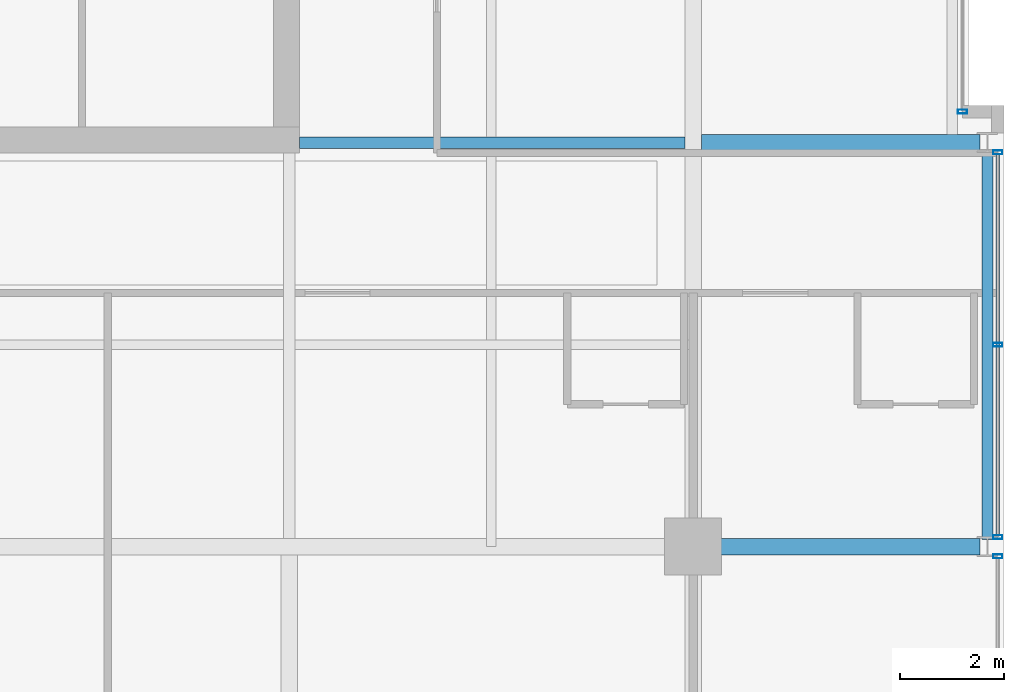
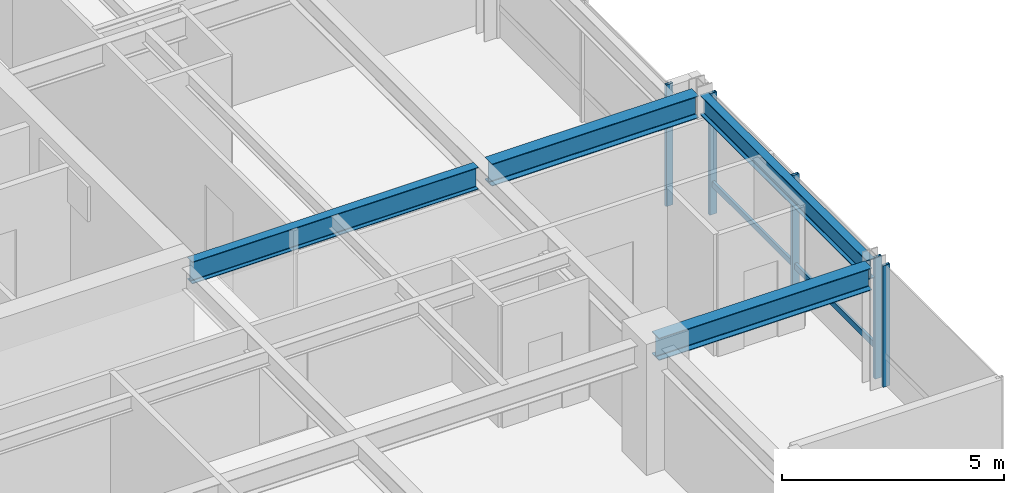
# One storey, part 13 of 30: 6 members, 4 beams, 3 elements without a shape of their own.
"""IFC4 building model written with IfcOpenShell, lengths in metres."""

from ifc_helpers import new_model, si_unit, direction, frame, origin, origin_2d, place, context, subcontext, project, spatial, hollow_rectangle, i_section, extrude, material, layer, layer_set, material_profile, profile_set, type_object, element, aggregate, save


model = new_model("IFC4")

# Units and contexts
model_context = context("Model", 3, precision=1e-05, world=origin(), true_north=direction((0.0, 1.0)))
body_context = subcontext(model_context, "Body", "Model", "MODEL_VIEW")
ifc_project = project(units=[si_unit("LENGTHUNIT", "METRE"), si_unit("AREAUNIT", "SQUARE_METRE"), si_unit("VOLUMEUNIT", "CUBIC_METRE"), si_unit("PLANEANGLEUNIT", "RADIAN"), si_unit("MASSUNIT", "GRAM", prefix="KILO")], contexts=[model_context])

# Site, building, storey
site_placement = place(None, origin())
site = spatial("IfcSite", under=ifc_project, at=site_placement, CompositionType="ELEMENT")
building_placement = place(site_placement, origin())
building = spatial("IfcBuilding", under=site, at=building_placement, Name="Drelvath Grand Hotel", CompositionType="ELEMENT")
storey_placement = place(building_placement, frame((0.0, 0.0, 215.89990234375)))
storey = spatial("IfcBuildingStorey", under=building, at=storey_placement, Name="L56", CompositionType="ELEMENT", Elevation=215.89990234375)

# Curtain wall, member
ifc_material_1 = material(Name="Platinum-Mist Anodised Aluminium Frame", Category="aluminium")
ifc_layer = layer(ifc_material_1, 0.199951171875)
ifc_layer_set = layer_set([ifc_layer], Name="Platinum-Mist Anodised Aluminium Frame")
curtain_wall_type = type_object("IfcCurtainWallType", Name="Stick Curtain Wall CW-05 Platinum Mist High-Rise", PredefinedType="NOTDEFINED", material=ifc_layer_set)
curtain_wall_1_placement = place(storey_placement, origin())
curtain_wall_1 = element("IfcCurtainWall", 1, at=curtain_wall_1_placement, inside=storey, type_object=curtain_wall_type, Name="L56 CW-05 Curtain Wall CW05-L56-ES2", PredefinedType="NOTDEFINED")
ifc_material_profile_1 = material_profile(ifc_material_1, hollow_rectangle(XDim=0.06494140625, YDim=0.159912109375, WallThickness=0.00390625, at=origin_2d()), Name="HSS160X65X4")
ifc_profile_set_1 = profile_set([ifc_material_profile_1], Name="Platinum-Mist Anodised Aluminium Frame")
member_type_1 = type_object("IfcMemberType", Name="Curtain Wall Horizontal Transom CW-05 HSS160X65X4", PredefinedType="USERDEFINED", material=ifc_profile_set_1)
member_1_placement = place(storey_placement, frame((22.080078125, 18.374755859375, 0.835205078125), z_axis=(0.0, -1.0, 0.0), x_axis=(1.0, 0.0, 0.0)))
member_1 = element("IfcMember", 2, at=member_1_placement, type_object=member_type_1, Name="CW05-L56-ES2 Sill Transom", ObjectType="TRANSOM", PredefinedType="USERDEFINED", context=body_context, shape_type="SweptSolid", body=[
    extrude(hollow_rectangle(XDim=0.06494140625, YDim=0.159912109375, WallThickness=0.00390625, at=origin_2d()), origin(), (0.0, 0.0, 1.0), 7.349365234375),
])

curtain_wall_2_placement = place(storey_placement, origin())
curtain_wall_2 = element("IfcCurtainWall", 3, at=curtain_wall_2_placement, inside=storey, type_object=curtain_wall_type, Name="L56 CW-05 Curtain Wall CW05-L56-EM1", PredefinedType="NOTDEFINED")
ifc_material_profile_2 = material_profile(ifc_material_1, hollow_rectangle(XDim=0.074951171875, YDim=0.179931640625, WallThickness=0.0048828125, at=origin_2d()), Name="HSS180X75X5")
ifc_profile_set_2 = profile_set([ifc_material_profile_2], Name="Platinum-Mist Anodised Aluminium Frame")
member_type_2 = type_object("IfcMemberType", Name="Curtain Wall Vertical Mullion CW-05 HSS180X75X5", PredefinedType="MULLION", material=ifc_profile_set_2)
member_2_placement = place(storey_placement, frame((21.39990234375, 19.199951171875, 0.0), z_axis=(0.0, 0.0, 1.0), x_axis=(0.0, 1.0, 0.0)))
member_2 = element("IfcMember", 4, at=member_2_placement, type_object=member_type_2, Name="CW05-L56-EM1 Mullion 3", PredefinedType="MULLION", context=body_context, shape_type="SweptSolid", body=[
    extrude(hollow_rectangle(XDim=0.074951171875, YDim=0.179931640625, WallThickness=0.0048828125, at=origin_2d()), origin(), (0.0, 0.0, 1.0), 3.340087890625),
])
aggregate(curtain_wall_2, [member_2])

curtain_wall_3_placement = place(storey_placement, origin())
curtain_wall_3 = element("IfcCurtainWall", 5, at=curtain_wall_3_placement, inside=storey, type_object=curtain_wall_type, Name="L56 CW-05 Curtain Wall CW05-L56-ES1", PredefinedType="NOTDEFINED")
member_3_placement = place(storey_placement, frame((22.080078125, 10.61474609375, 0.0), z_axis=(0.0, 0.0, 1.0), x_axis=(0.0, 1.0, 0.0)))
member_3 = element("IfcMember", 6, at=member_3_placement, type_object=member_type_2, Name="CW05-L56-ES1 Mullion 1", PredefinedType="MULLION", context=body_context, shape_type="SweptSolid", body=[
    extrude(hollow_rectangle(XDim=0.074951171875, YDim=0.179931640625, WallThickness=0.0048828125, at=origin_2d()), origin(), (0.0, 0.0, 1.0), 3.340087890625),
])
aggregate(curtain_wall_3, [member_3])

# Member
member_4_placement = place(storey_placement, frame((22.080078125, 18.414794921875, 0.0), z_axis=(0.0, 0.0, 1.0), x_axis=(0.0, 1.0, 0.0)))
member_4 = element("IfcMember", 7, at=member_4_placement, type_object=member_type_2, Name="CW05-L56-ES2 Mullion 1", PredefinedType="MULLION", context=body_context, shape_type="SweptSolid", body=[
    extrude(hollow_rectangle(XDim=0.074951171875, YDim=0.179931640625, WallThickness=0.0048828125, at=origin_2d()), origin(), (0.0, 0.0, 1.0), 3.340087890625),
])

member_5_placement = place(storey_placement, frame((22.080078125, 14.699951171875, 0.0), z_axis=(0.0, 0.0, 1.0), x_axis=(0.0, 1.0, 0.0)))
member_5 = element("IfcMember", 8, at=member_5_placement, type_object=member_type_2, Name="CW05-L56-ES2 Mullion 2", PredefinedType="MULLION", context=body_context, shape_type="SweptSolid", body=[
    extrude(hollow_rectangle(XDim=0.074951171875, YDim=0.179931640625, WallThickness=0.0048828125, at=origin_2d()), origin(), (0.0, 0.0, 1.0), 3.340087890625),
])

member_6_placement = place(storey_placement, frame((22.080078125, 10.9853515625, 0.0), z_axis=(0.0, 0.0, 1.0), x_axis=(0.0, 1.0, 0.0)))
member_6 = element("IfcMember", 9, at=member_6_placement, type_object=member_type_2, Name="CW05-L56-ES2 Mullion 3", PredefinedType="MULLION", context=body_context, shape_type="SweptSolid", body=[
    extrude(hollow_rectangle(XDim=0.074951171875, YDim=0.179931640625, WallThickness=0.0048828125, at=origin_2d()), origin(), (0.0, 0.0, 1.0), 3.340087890625),
])

aggregate(curtain_wall_1, [member_4, member_5, member_6, member_1])

# Beams
ifc_material_2 = material(Name="Steel ASTM A992 Gr 50", Category="steel")
ifc_material_profile_3 = material_profile(ifc_material_2, i_section(OverallWidth=0.210205078125, OverallDepth=0.53662109375, WebThickness=0.010986328125, FlangeThickness=0.017333984375, FilletRadius=0.01806640625, at=origin_2d()), Name="W21X68")
ifc_profile_set_3 = profile_set([ifc_material_profile_3], Name="Steel ASTM A992 Gr 50")
beam_type_1 = type_object("IfcBeamType", Name="Perimeter Spandrel Beam W21X68", PredefinedType="SPANDREL", material=ifc_profile_set_3)
beam_1_placement = place(storey_placement, frame((21.8798828125, 10.93994140625, 3.07177734375), z_axis=(0.0, 1.0, 0.0), x_axis=(-1.0, 0.0, 0.0)))
element("IfcBeam", 10, at=beam_1_placement, inside=storey, type_object=beam_type_1, Name="L56 Spandrel East S", PredefinedType="SPANDREL", context=body_context, shape_type="SweptSolid", body=[
    extrude(i_section(OverallWidth=0.210205078125, OverallDepth=0.53662109375, WebThickness=0.010986328125, FlangeThickness=0.017333984375, FilletRadius=0.01806640625, at=origin_2d()), origin(), (0.0, 0.0, 1.0), 7.52001953125),
])
ifc_material_profile_4 = material_profile(ifc_material_2, i_section(OverallWidth=0.323974609375, OverallDepth=0.611083984375, WebThickness=0.0126953125, FlangeThickness=0.01904296875, FilletRadius=0.02197265625, at=origin_2d()), Name="W24X104")
ifc_profile_set_4 = profile_set([ifc_material_profile_4], Name="Steel ASTM A992 Gr 50")
beam_type_2 = type_object("IfcBeamType", Name="Primary Floor Girder W24X104", PredefinedType="BEAM", material=ifc_profile_set_4)
beam_2_placement = place(storey_placement, frame((16.199951171875, 10.800048828125, 3.034423828125), z_axis=(1.0, 0.0, 0.0), x_axis=(0.0, 1.0, 0.0)))
element("IfcBeam", 11, at=beam_2_placement, inside=storey, type_object=beam_type_2, Name="L56 East Grid Girder C", PredefinedType="BEAM", context=body_context, shape_type="SweptSolid", body=[
    extrude(i_section(OverallWidth=0.323974609375, OverallDepth=0.611083984375, WebThickness=0.0126953125, FlangeThickness=0.01904296875, FilletRadius=0.02197265625, at=origin_2d()), origin(), (0.0, 0.0, 1.0), 5.5400390625),
])
beam_3_placement = place(storey_placement, frame((16.362060546875, 18.60009765625, 3.034423828125), z_axis=(1.0, 0.0, 0.0), x_axis=(0.0, 1.0, 0.0)))
element("IfcBeam", 12, at=beam_3_placement, inside=storey, type_object=beam_type_2, Name="L56 East Wing Girder D", PredefinedType="BEAM", context=body_context, shape_type="SweptSolid", body=[
    extrude(i_section(OverallWidth=0.323974609375, OverallDepth=0.611083984375, WebThickness=0.0126953125, FlangeThickness=0.01904296875, FilletRadius=0.02197265625, at=origin_2d()), origin(), (0.0, 0.0, 1.0), 5.3779296875),
])
ifc_material_profile_5 = material_profile(ifc_material_2, i_section(OverallWidth=0.228271484375, OverallDepth=0.607666015625, WebThickness=0.01123046875, FlangeThickness=0.017333984375, FilletRadius=0.02001953125, at=origin_2d()), Name="W24X76")
ifc_profile_set_5 = profile_set([ifc_material_profile_5], Name="Steel ASTM A992 Gr 50")
beam_type_3 = type_object("IfcBeamType", Name="Primary Floor Girder W24X76", PredefinedType="BEAM", material=ifc_profile_set_5)
beam_4_placement = place(storey_placement, frame((8.60009765625, 18.60009765625, 3.036376953125), z_axis=(1.0, 0.0, 0.0), x_axis=(0.0, 1.0, 0.0)))
element("IfcBeam", 13, at=beam_4_placement, inside=storey, type_object=beam_type_3, Name="L56 East Core Tie D", PredefinedType="BEAM", context=body_context, shape_type="SweptSolid", body=[
    extrude(i_section(OverallWidth=0.228271484375, OverallDepth=0.607666015625, WebThickness=0.01123046875, FlangeThickness=0.017333984375, FilletRadius=0.02001953125, at=origin_2d()), origin(), (0.0, 0.0, 1.0), 7.43798828125),
])

save(model, "model.ifc")
